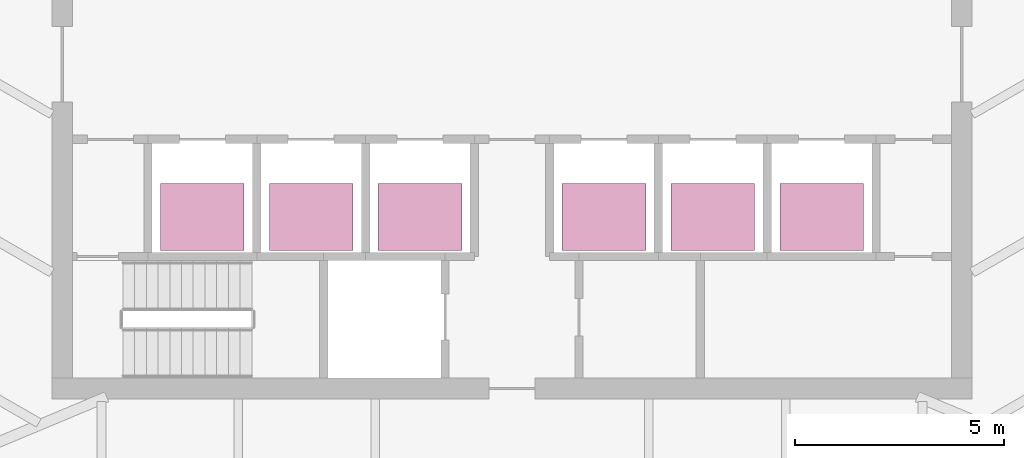
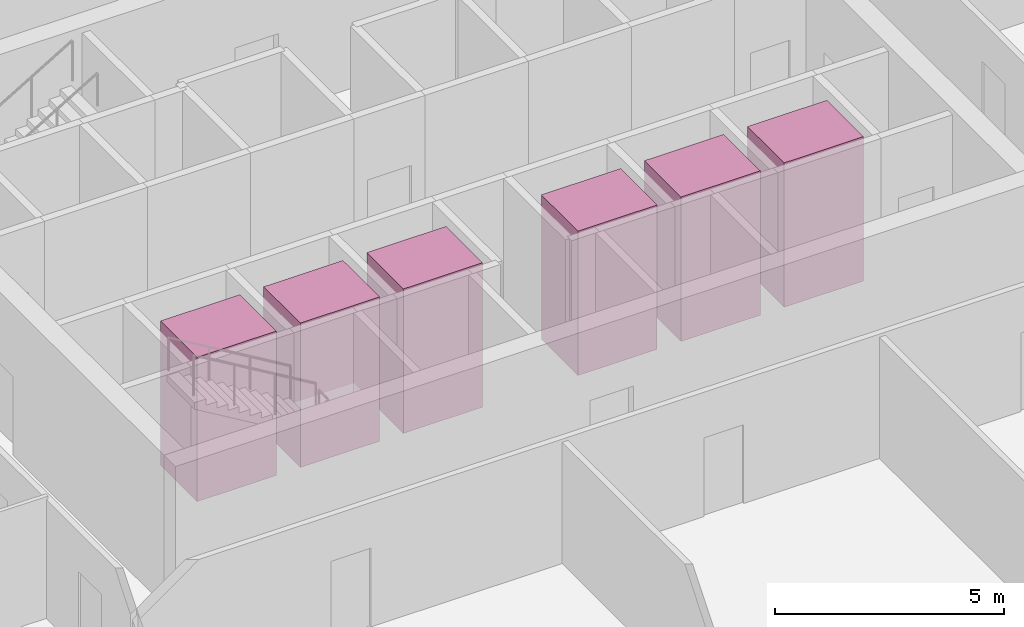
# One storey, part 17 of 17: 6 transport elements.
"""IFC4 building model written with IfcOpenShell, lengths in metres."""

from ifc_helpers import new_model, si_unit, direction, frame, origin, origin_2d, place, context, subcontext, project, spatial, rectangle, extrude, material, type_object, element, save


model = new_model("IFC4")

# Units and contexts
model_context = context("Model", 3, precision=1e-05, world=origin(), true_north=direction((0.0, 1.0)))
body_context = subcontext(model_context, "Body", "Model", "MODEL_VIEW")
ifc_project = project(units=[si_unit("LENGTHUNIT", "METRE"), si_unit("AREAUNIT", "SQUARE_METRE"), si_unit("VOLUMEUNIT", "CUBIC_METRE"), si_unit("PLANEANGLEUNIT", "RADIAN"), si_unit("MASSUNIT", "GRAM", prefix="KILO")], contexts=[model_context])

# Site, building, storey
site_placement = place(None, origin())
site = spatial("IfcSite", under=ifc_project, at=site_placement, CompositionType="ELEMENT")
building_placement = place(site_placement, origin())
building = spatial("IfcBuilding", under=site, at=building_placement, Name="Sierra Prisma Convention Tower", CompositionType="ELEMENT")
storey_placement = place(building_placement, frame((0.0, 0.0, 145.800048828125)))
storey = spatial("IfcBuildingStorey", under=building, at=storey_placement, Name="L31", CompositionType="ELEMENT", Elevation=145.800048828125)

# Transport elements
ifc_material = material(Name="Stainless steel", Category="steel")
transport_element_type = type_object("IfcTransportElementType", Name="Lift car office low 2000x1600 1600 kg", PredefinedType="ELEVATOR", material=ifc_material)
for number, where, z_axis, x_axis, name in (
    (1, (-7.39990234375, -3.64990234375, 0.0), (0.0, 0.0, 1.0), (1.0, 0.0, 0.0), "Lift OL1"),
    (2, (-4.800048828125, -3.64990234375, 0.0), (0.0, 0.0, 1.0), (1.0, 0.0, 0.0), "Lift OL2"),
    (3, (-2.199951171875, -3.64990234375, 0.0), (0.0, 0.0, 1.0), (1.0, 0.0, 0.0), "Lift OL3"),
    (4, (2.199951171875, -3.64990234375, 0.0), (0.0, 0.0, 1.0), (1.0, 0.0, 0.0), "Lift OL4"),
    (5, (4.800048828125, -3.64990234375, 0.0), (0.0, 0.0, 1.0), (1.0, 0.0, 0.0), "Lift OL5"),
    (6, (7.39990234375, -3.64990234375, 0.0), (0.0, 0.0, 1.0), (1.0, 0.0, 0.0), "Lift OL6"),
):
    element("IfcTransportElement", number, at=place(storey_placement, frame(where, z_axis=z_axis, x_axis=x_axis)), inside=storey, type_object=transport_element_type, Name=name, PredefinedType="ELEVATOR", context=body_context, shape_type="SweptSolid", body=[
        extrude(rectangle(XDim=2.0, YDim=1.60009765625, at=origin_2d()), origin(), (0.0, 0.0, 1.0), 3.85009765625),
    ])

save(model, "model.ifc")
